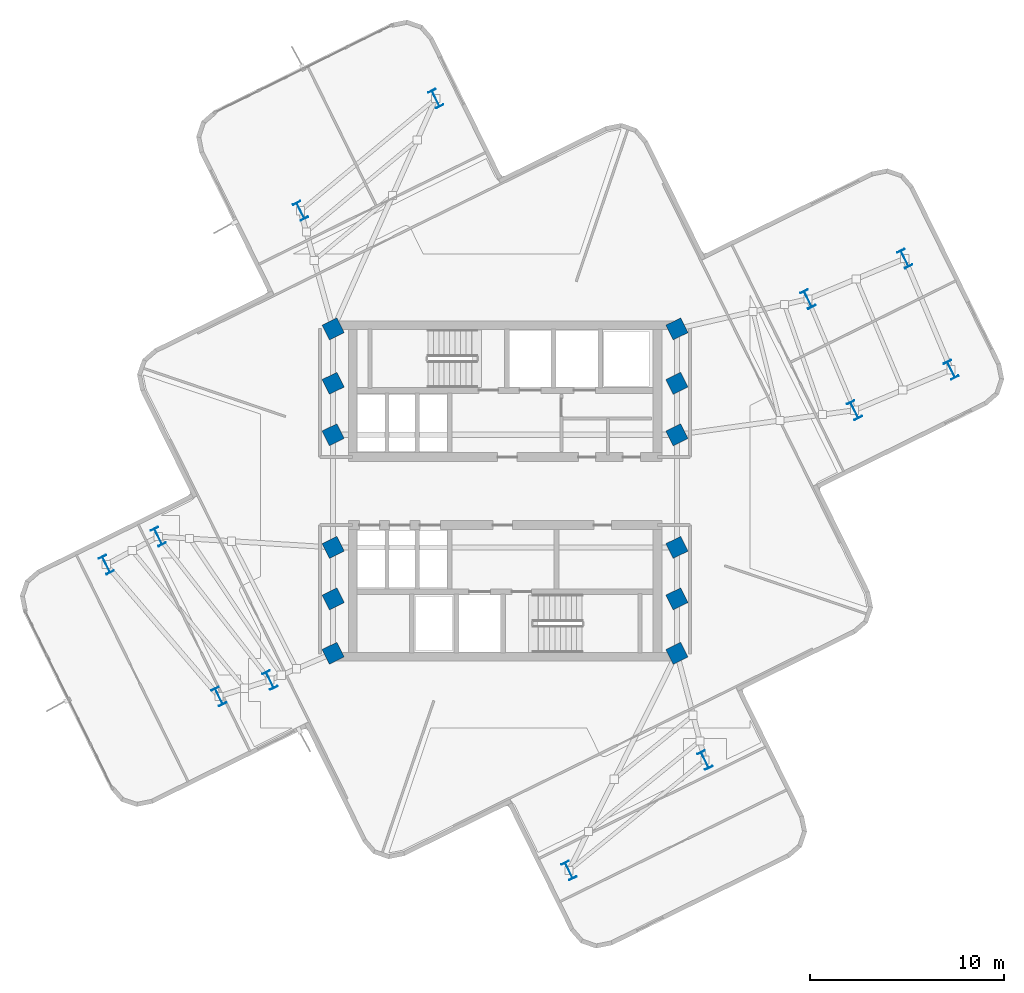
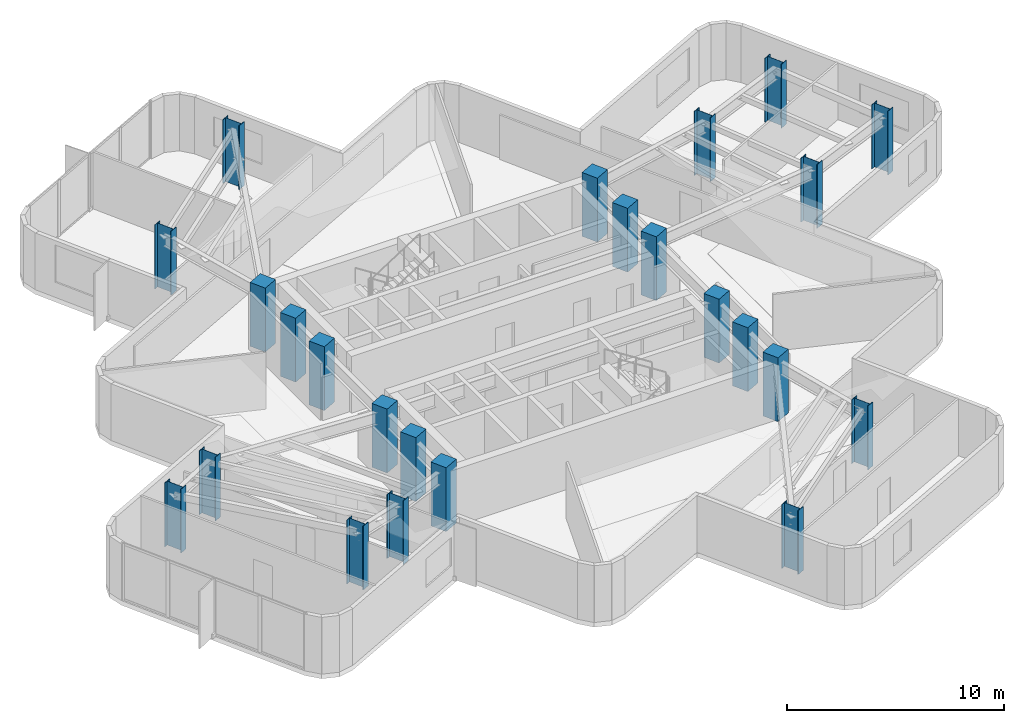
# One storey, part 1 of 11: 24 columns.
"""IFC4 building model written with IfcOpenShell, lengths in metres."""

from ifc_helpers import new_model, si_unit, direction, frame, origin, origin_2d, place, context, subcontext, project, spatial, rectangle, i_section, extrude, material, material_profile, profile_set, type_object, element, save


model = new_model("IFC4")

# Units and contexts
model_context = context("Model", 3, precision=1e-05, world=origin(), true_north=direction((0.0, 1.0)))
body_context = subcontext(model_context, "Body", "Model", "MODEL_VIEW")
ifc_project = project(units=[si_unit("LENGTHUNIT", "METRE"), si_unit("AREAUNIT", "SQUARE_METRE"), si_unit("VOLUMEUNIT", "CUBIC_METRE"), si_unit("PLANEANGLEUNIT", "RADIAN"), si_unit("MASSUNIT", "GRAM", prefix="KILO")], contexts=[model_context])

# Site, building, storey
site_placement = place(None, origin())
site = spatial("IfcSite", under=ifc_project, at=site_placement, CompositionType="ELEMENT")
building_placement = place(site_placement, origin())
building = spatial("IfcBuilding", under=site, at=building_placement, Name="Solmarez Civic Tower", CompositionType="ELEMENT")
storey_placement = place(building_placement, frame((0.0, 0.0, 192.60009765625)))
storey = spatial("IfcBuildingStorey", under=building, at=storey_placement, Name="L51", CompositionType="ELEMENT", Elevation=192.60009765625)

# Columns
ifc_material_1 = material(Name="Concrete C50/60", Category="concrete")
ifc_material_profile_1 = material_profile(ifc_material_1, rectangle(XDim=0.85009765625, YDim=0.85009765625, at=origin_2d()), Name="RC850X850")
ifc_profile_set_1 = profile_set([ifc_material_profile_1], Name="Concrete C50/60")
column_type_1 = type_object("IfcColumnType", Name="COL-RC850", PredefinedType="COLUMN", material=ifc_profile_set_1)
for number, where, z_axis, x_axis, name in (
    (1, (-8.85009765625, -5.550048828125, 0.0), (0.0, 0.0, 1.0), (0.896949921811, 0.44213214966, 0.0), "L51 Structural Column HC1"),
    (2, (-8.85009765625, -2.89990234375, 0.0), (0.0, 0.0, 1.0), (0.896949921811, 0.44213214966, 0.0), "L51 Structural Column HC2"),
    (3, (-8.85009765625, 2.89990234375, 0.0), (0.0, 0.0, 1.0), (0.896949921811, 0.44213214966, 0.0), "L51 Structural Column HC3"),
    (4, (-8.85009765625, 5.550048828125, 0.0), (0.0, 0.0, 1.0), (0.896949921811, 0.44213214966, 0.0), "L51 Structural Column HC4"),
    (5, (8.85009765625, -5.550048828125, 0.0), (0.0, 0.0, 1.0), (0.896949921811, 0.44213214966, 0.0), "L51 Structural Column HC5"),
    (6, (8.85009765625, -2.89990234375, 0.0), (0.0, 0.0, 1.0), (0.896949921811, 0.44213214966, 0.0), "L51 Structural Column HC6"),
    (7, (8.85009765625, 2.89990234375, 0.0), (0.0, 0.0, 1.0), (0.896949921811, 0.44213214966, 0.0), "L51 Structural Column HC7"),
    (8, (8.85009765625, 5.550048828125, 0.0), (0.0, 0.0, 1.0), (0.896949921811, 0.44213214966, 0.0), "L51 Structural Column HC8"),
    (9, (-8.85009765625, 8.35009765625, 0.0), (0.0, 0.0, 1.0), (0.896949921811, 0.44213214966, 0.0), "L51 Structural Column HC9"),
    (10, (8.85009765625, -8.35009765625, 0.0), (0.0, 0.0, 1.0), (0.896949921811, 0.44213214966, 0.0), "L51 Structural Column HC10"),
    (11, (8.85009765625, 8.35009765625, 0.0), (0.0, 0.0, 1.0), (0.896949921811, 0.44213214966, 0.0), "L51 Structural Column HC11"),
    (12, (-8.85009765625, -8.35009765625, 0.0), (0.0, 0.0, 1.0), (0.896949921811, 0.44213214966, 0.0), "L51 Structural Column HC12"),
):
    element("IfcColumn", number, at=place(storey_placement, frame(where, z_axis=z_axis, x_axis=x_axis)), inside=storey, type_object=column_type_1, Name=name, PredefinedType="COLUMN", context=body_context, shape_type="SweptSolid", body=[
        extrude(rectangle(XDim=0.85009765625, YDim=0.85009765625, at=origin_2d()), origin(), (0.0, 0.0, 1.0), 3.599853515625),
    ])
ifc_material_2 = material(Name="Steel S355", Category="steel")
ifc_material_profile_2 = material_profile(ifc_material_2, i_section(OverallWidth=0.41796875, OverallDepth=0.927001953125, WebThickness=0.019287109375, FlangeThickness=0.031982421875, at=origin_2d()), Name="W36X231")
ifc_profile_set_2 = profile_set([ifc_material_profile_2], Name="Steel S355")
column_type_2 = type_object("IfcColumnType", Name="COL-W36X231", PredefinedType="COLUMN", material=ifc_profile_set_2)
for number, where, z_axis, x_axis, name in (
    (13, (17.987060546875, 4.1640625, 0.0), (0.0, 0.0, 1.0), (0.896949921811, 0.44213214966, 0.0), "L51 Structural Column EA11"),
    (14, (15.593994140625, 9.883056640625, 0.0), (0.0, 0.0, 1.0), (0.896949921811, 0.44213214966, 0.0), "L51 Structural Column EA12"),
    (15, (22.968017578125, 6.248046875, 0.0), (0.0, 0.0, 1.0), (0.896949921811, 0.44213214966, 0.0), "L51 Structural Column EA21"),
    (16, (20.575927734375, 11.967041015625, 0.0), (0.0, 0.0, 1.0), (0.896949921811, 0.44213214966, 0.0), "L51 Structural Column EA22"),
    (17, (-3.570068359375, 20.20703125, 0.0), (0.0, 0.0, 1.0), (0.896949921811, 0.44213214966, 0.0), "L51 Structural Column NA11"),
    (18, (-10.532958984375, 14.43310546875, 0.0), (0.0, 0.0, 1.0), (0.896949921811, 0.44213214966, 0.0), "L51 Structural Column NA12"),
    (19, (-17.85791015625, -2.345947265625, 0.0), (0.0, 0.0, 1.0), (0.896949921811, 0.44213214966, 0.0), "L51 Structural Column WA11"),
    (20, (-12.10595703125, -9.73095703125, 0.0), (0.0, 0.0, 1.0), (0.896949921811, 0.44213214966, 0.0), "L51 Structural Column WA12"),
    (21, (-20.534912109375, -3.7880859375, 0.0), (0.0, 0.0, 1.0), (0.896949921811, 0.44213214966, 0.0), "L51 Structural Column WA21"),
    (22, (-14.73095703125, -10.572998046875, 0.0), (0.0, 0.0, 1.0), (0.896949921811, 0.44213214966, 0.0), "L51 Structural Column WA22"),
    (23, (3.2900390625, -19.535888671875, 0.0), (0.0, 0.0, 1.0), (0.896949921811, 0.44213214966, 0.0), "L51 Structural Column SA11"),
    (24, (10.2900390625, -13.85009765625, 0.0), (0.0, 0.0, 1.0), (0.896949921811, 0.44213214966, 0.0), "L51 Structural Column SA12"),
):
    element("IfcColumn", number, at=place(storey_placement, frame(where, z_axis=z_axis, x_axis=x_axis)), inside=storey, type_object=column_type_2, Name=name, PredefinedType="COLUMN", context=body_context, shape_type="SweptSolid", body=[
        extrude(i_section(OverallWidth=0.41796875, OverallDepth=0.927001953125, WebThickness=0.019287109375, FlangeThickness=0.031982421875, at=origin_2d()), origin(), (0.0, 0.0, 1.0), 3.599853515625),
    ])

save(model, "model.ifc")
